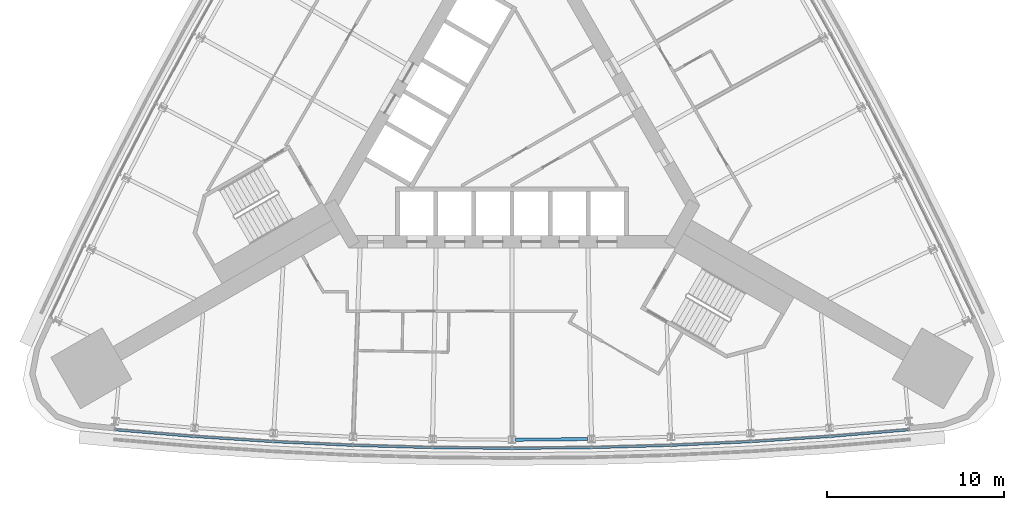
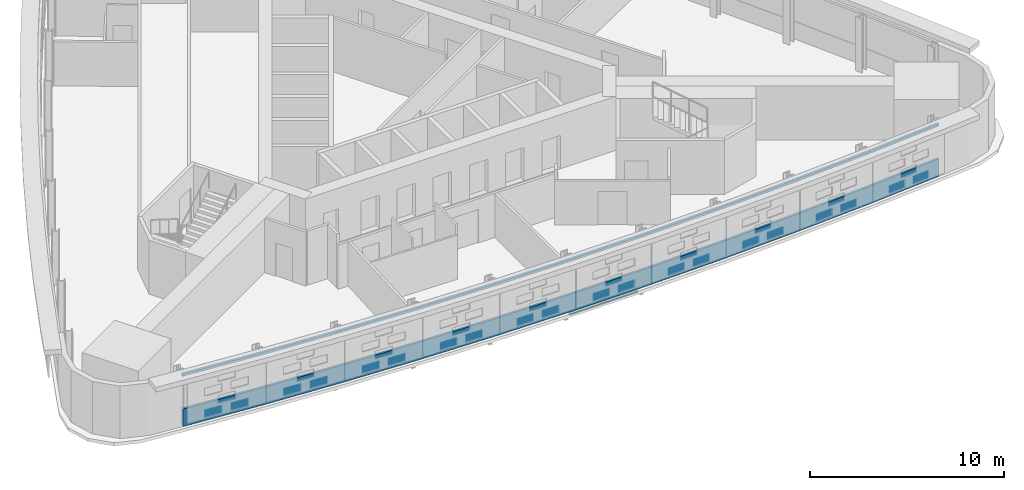
# One storey, part 3 of 14: 2 members, 1 beam, 1 element without a shape of its own.
"""IFC4 building model written with IfcOpenShell, lengths in metres."""

from ifc_helpers import new_model, si_unit, direction, frame, origin, origin_2d, place, context, subcontext, project, spatial, polyline, i_section, outline, extrude, material, material_profile, profile_set, type_object, element, aggregate, save


model = new_model("IFC4")

# Units and contexts
model_context = context("Model", 3, precision=1e-05, world=origin(), true_north=direction((0.0, 1.0)))
body_context = subcontext(model_context, "Body", "Model", "MODEL_VIEW")
ifc_project = project(units=[si_unit("LENGTHUNIT", "METRE"), si_unit("AREAUNIT", "SQUARE_METRE"), si_unit("VOLUMEUNIT", "CUBIC_METRE"), si_unit("PLANEANGLEUNIT", "RADIAN"), si_unit("MASSUNIT", "GRAM", prefix="KILO")], contexts=[model_context])

# Site, building, storey
site_placement = place(None, origin())
site = spatial("IfcSite", under=ifc_project, at=site_placement, CompositionType="ELEMENT")
building_placement = place(site_placement, origin())
building = spatial("IfcBuilding", under=site, at=building_placement, Name="Noor Cloister Tower", CompositionType="ELEMENT")
storey_placement = place(building_placement, frame((0.0, 0.0, 34.800048828125)))
storey = spatial("IfcBuildingStorey", under=building, at=storey_placement, Name="L08", CompositionType="ELEMENT", Elevation=34.800048828125)

# Curtain wall, members
ifc_material_1 = material(Name="Aluminium 6063-T6 anodised", Category="aluminium")
curtain_wall_type = type_object("IfcCurtainWallType", Name="Ribbon curtain wall, lower tower CW1", PredefinedType="NOTDEFINED", material=ifc_material_1)
curtain_wall_placement = place(storey_placement, origin())
curtain_wall = element("IfcCurtainWall", 1, at=curtain_wall_placement, inside=storey, type_object=curtain_wall_type, Name="CW1 L08 S run 2", PredefinedType="NOTDEFINED")
ifc_material_2 = material(Name="Aluminium 6063-T6 anodised", Category="aluminium")
member_type_1 = type_object("IfcMemberType", Name="Head transom CW1 150", PredefinedType="USERDEFINED", material=ifc_material_2)
member_1_placement = place(storey_placement, frame((0.0, 0.0, 3.14990234375)))
member_1 = element("IfcMember", 2, at=member_1_placement, type_object=member_type_1, Name="CW1 head transom", ObjectType="TRANSOM", PredefinedType="USERDEFINED", context=body_context, shape_type="SweptSolid", body=[
    extrude(outline(polyline([(-22.467041015625, -17.254150390625), (-17.983154296875, -17.633056640625), (-13.492919921875, -17.927734375), (-8.997802734375, -18.13818359375), (-4.499755859375, -18.2646484375), (0.0, -18.306884765625), (4.499755859375, -18.2646484375), (8.997802734375, -18.13818359375), (13.492919921875, -17.927734375), (17.983154296875, -17.633056640625), (22.467041015625, -17.254150390625), (22.455322265625, -17.11474609375), (17.97265625, -17.493408203125), (13.485107421875, -17.787841796875), (8.99267578125, -17.998291015625), (4.4970703125, -18.124755859375), (0.0, -18.166748046875), (-4.4970703125, -18.124755859375), (-8.99267578125, -17.998291015625), (-13.485107421875, -17.787841796875), (-17.97265625, -17.493408203125), (-22.455322265625, -17.11474609375), (-22.467041015625, -17.254150390625)])), origin(), (0.0, 0.0, 1.0), 0.150146484375),
])
ifc_material_3 = material(Name="Aluminium 6063-T6 anodised", Category="aluminium")
member_type_2 = type_object("IfcMemberType", Name="Sill transom CW1 1100", PredefinedType="USERDEFINED", material=ifc_material_3)
member_2_placement = place(storey_placement, origin())
member_2 = element("IfcMember", 3, at=member_2_placement, type_object=member_type_2, Name="CW1 sill transom", ObjectType="TRANSOM", PredefinedType="USERDEFINED", context=body_context, shape_type="SweptSolid", body=[
    extrude(outline(polyline([(-22.467041015625, -17.254150390625), (-17.983154296875, -17.633056640625), (-13.492919921875, -17.927734375), (-8.997802734375, -18.13818359375), (-4.499755859375, -18.2646484375), (0.0, -18.306884765625), (4.499755859375, -18.2646484375), (8.997802734375, -18.13818359375), (13.492919921875, -17.927734375), (17.983154296875, -17.633056640625), (22.467041015625, -17.254150390625), (22.455322265625, -17.11474609375), (17.97265625, -17.493408203125), (13.485107421875, -17.787841796875), (8.99267578125, -17.998291015625), (4.4970703125, -18.124755859375), (0.0, -18.166748046875), (-4.4970703125, -18.124755859375), (-8.99267578125, -17.998291015625), (-13.485107421875, -17.787841796875), (-17.97265625, -17.493408203125), (-22.455322265625, -17.11474609375), (-22.467041015625, -17.254150390625)])), origin(), (0.0, 0.0, 1.0), 1.099853515625),
])
aggregate(curtain_wall, [member_2, member_1])

# Beam
ifc_material_4 = material(Name="Steel ASTM A992 Gr 50", Category="steel")
ifc_material_profile = material_profile(ifc_material_4, i_section(OverallWidth=0.177978515625, OverallDepth=0.406005859375, WebThickness=0.0078125, FlangeThickness=0.0126953125, FilletRadius=0.01025390625, at=origin_2d()), Name="W410x60")
ifc_profile_set = profile_set([ifc_material_profile], Name="Steel ASTM A992 Gr 50")
beam_type = type_object("IfcBeamType", Name="Spandrel beam W410x60", PredefinedType="SPANDREL", material=ifc_profile_set)
beam_placement = place(storey_placement, frame((0.201904296875, -17.7548828125, -0.403076171875), z_axis=(0.99995599104, 0.009381683435, 0.0), x_axis=(-0.009381683435, 0.99995599104, 0.0)))
element("IfcBeam", 4, at=beam_placement, inside=storey, type_object=beam_type, Name="Spandrel beam S 06 L08", PredefinedType="SPANDREL", context=body_context, shape_type="SweptSolid", body=[
    extrude(i_section(OverallWidth=0.177978515625, OverallDepth=0.406005859375, WebThickness=0.0078125, FlangeThickness=0.0126953125, FilletRadius=0.01025390625, at=origin_2d()), origin(), (0.0, 0.0, 1.0), 4.085693359375),
])

save(model, "model.ifc")
